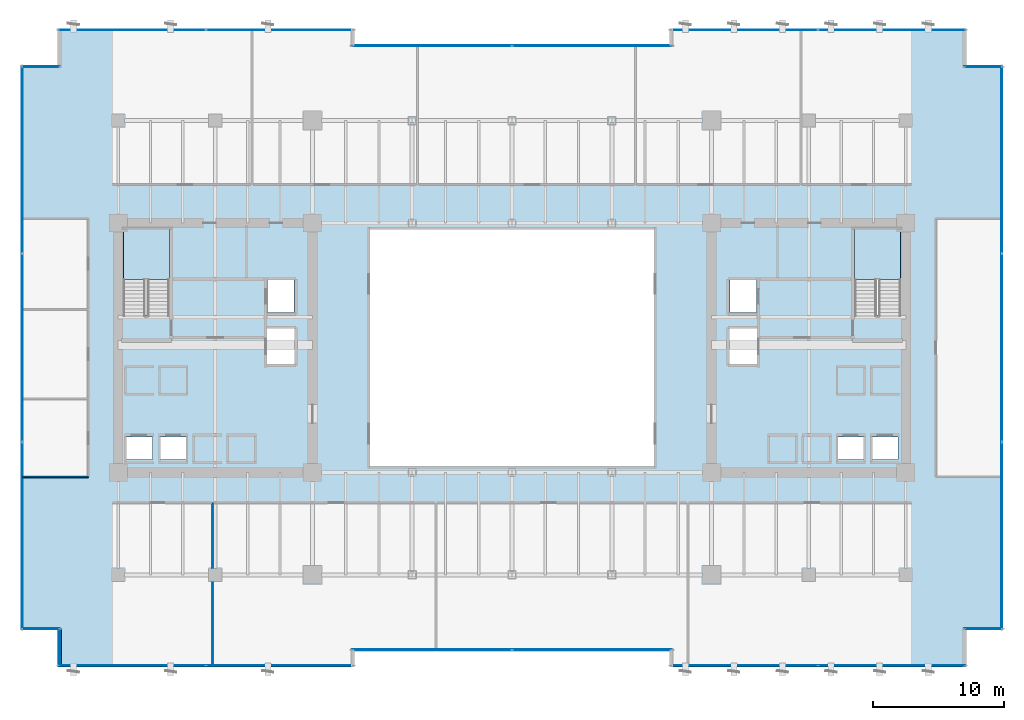
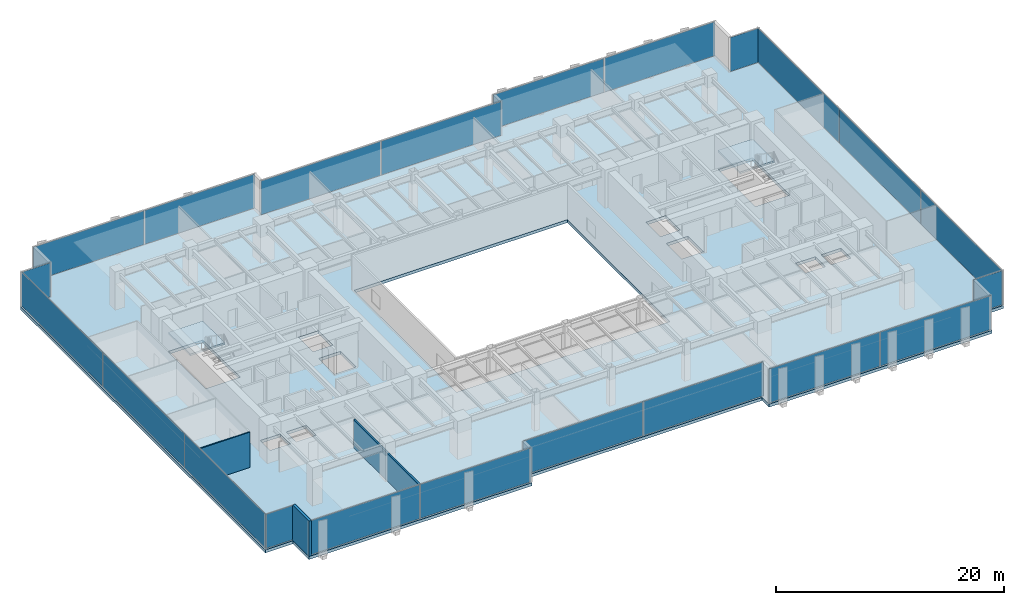
# One storey, part 28 of 37: 22 plates, 3 slabs, 3 walls, 14 elements without a shape of their own.
"""IFC4 building model written with IfcOpenShell, lengths in metres."""

from ifc_helpers import new_model, si_unit, direction, frame, frame_2d, origin, origin_2d, place, context, subcontext, project, spatial, polyline, rectangle, outline, extrude, source, transform, mapped, material, layer, layer_set, type_object, type_shapes, element, aggregate, save


model = new_model("IFC4")

# Units and contexts
model_context = context("Model", 3, precision=1e-05, world=origin(), true_north=direction((0.0, 1.0)))
body_context = subcontext(model_context, "Body", "Model", "MODEL_VIEW")
ifc_project = project(units=[si_unit("LENGTHUNIT", "METRE"), si_unit("AREAUNIT", "SQUARE_METRE"), si_unit("VOLUMEUNIT", "CUBIC_METRE"), si_unit("PLANEANGLEUNIT", "RADIAN"), si_unit("MASSUNIT", "GRAM", prefix="KILO")], contexts=[model_context])

# Site, building, storey
site_placement = place(None, origin())
site = spatial("IfcSite", under=ifc_project, at=site_placement, CompositionType="ELEMENT")
building_placement = place(site_placement, origin())
building = spatial("IfcBuilding", under=site, at=building_placement, Name="Haelvirn Gate Laboratories", CompositionType="ELEMENT")
storey_placement = place(building_placement, frame((0.0, 0.0, 74.39990234375)))
storey = spatial("IfcBuildingStorey", under=building, at=storey_placement, Name="L18", CompositionType="ELEMENT", Elevation=74.39990234375)

# Stair, slab
ifc_material_1 = material(Name="Concrete C40/50", Category="concrete")
stair_type = type_object("IfcStairType", Name="ST-DOG-1650-R22", PredefinedType="HALF_TURN_STAIR", material=ifc_material_1)
stair_1_placement = place(storey_placement, origin())
stair_1 = element("IfcStair", 1, at=stair_1_placement, inside=storey, type_object=stair_type, Name="L18 Escape Stair ST1", PredefinedType="HALF_TURN_STAIR")
ifc_layer_1 = layer(ifc_material_1, 0.199951171875, Name="SL-STAIR-LND")
ifc_layer_set_1 = layer_set([ifc_layer_1], Name="Concrete C40/50")
slab_type_1 = type_object("IfcSlabType", Name="SL-STAIR-LND", PredefinedType="LANDING", material=ifc_layer_set_1)
slab_1_placement = place(storey_placement, frame((0.0, 0.0, 1.85009765625)))
slab_1 = element("IfcSlab", 2, at=slab_1_placement, type_object=slab_type_1, Name="ST1 landing 1", PredefinedType="LANDING", context=body_context, shape_type="SweptSolid", body=[
    extrude(outline(polyline([(11.300048828125, 29.5), (11.300048828125, 33.35009765625), (7.800048828125, 33.35009765625), (7.800048828125, 29.5), (11.300048828125, 29.5)])), origin(), (0.0, 0.0, 1.0), 0.199951171875),
])
aggregate(stair_1, [slab_1])

stair_2_placement = place(storey_placement, origin())
stair_2 = element("IfcStair", 3, at=stair_2_placement, inside=storey, type_object=stair_type, Name="L18 Escape Stair ST2", PredefinedType="HALF_TURN_STAIR")
slab_2_placement = place(storey_placement, frame((0.0, 0.0, 1.85009765625)))
slab_2 = element("IfcSlab", 4, at=slab_2_placement, type_object=slab_type_1, Name="ST2 landing 1", PredefinedType="LANDING", context=body_context, shape_type="SweptSolid", body=[
    extrude(outline(polyline([(67.0, 29.5), (67.0, 33.35009765625), (63.5, 33.35009765625), (63.5, 29.5), (67.0, 29.5)])), origin(), (0.0, 0.0, 1.0), 0.199951171875),
])
aggregate(stair_2, [slab_2])

# Slab
ifc_material_2 = material(Name="Concrete C50/60", Category="concrete")
ifc_layer_2 = layer(ifc_material_2, 0.320068359375, Name="SL-Z1-320")
ifc_layer_set_2 = layer_set([ifc_layer_2], Name="Concrete C50/60")
slab_type_2 = type_object("IfcSlabType", Name="SL-Z1-320", PredefinedType="FLOOR", material=ifc_layer_set_2)
slab_3_placement = place(storey_placement, frame((0.0, 0.0, -0.31982421875)))
element("IfcSlab", 5, at=slab_3_placement, inside=storey, type_object=slab_type_2, Name="L18 Structural Slab MAIN", PredefinedType="FLOOR", context=body_context, shape_type="SweptSolid", body=[
    extrude(outline(polyline([(2.800048828125, 0.0), (25.39990234375, 0.0), (25.39990234375, 1.199951171875), (49.39990234375, 1.199951171875), (49.39990234375, 0.0), (72.0, 0.0), (72.0, 2.800048828125), (74.800048828125, 2.800048828125), (74.800048828125, 45.800048828125), (72.0, 45.800048828125), (72.0, 48.60009765625), (49.39990234375, 48.60009765625), (49.39990234375, 47.39990234375), (25.39990234375, 47.39990234375), (25.39990234375, 48.60009765625), (2.800048828125, 48.60009765625), (2.800048828125, 45.800048828125), (0.0, 45.800048828125), (0.0, 2.800048828125), (2.800048828125, 2.800048828125), (2.800048828125, 0.0)]), holes=[polyline([(26.60009765625, 15.300048828125), (48.199951171875, 15.300048828125), (48.199951171875, 33.300048828125), (26.60009765625, 33.300048828125), (26.60009765625, 15.300048828125)]), polyline([(11.300048828125, 26.780029296875), (11.300048828125, 33.35009765625), (7.800048828125, 33.35009765625), (7.800048828125, 26.780029296875), (11.300048828125, 26.780029296875)]), polyline([(67.0, 26.780029296875), (67.0, 33.35009765625), (63.5, 33.35009765625), (63.5, 26.780029296875), (67.0, 26.780029296875)]), polyline([(7.989990234375, 15.77001953125), (10.010009765625, 15.77001953125), (10.010009765625, 17.510009765625), (7.989990234375, 17.510009765625), (7.989990234375, 15.77001953125)]), polyline([(10.590087890625, 15.77001953125), (12.610107421875, 15.77001953125), (12.610107421875, 17.510009765625), (10.590087890625, 17.510009765625), (10.590087890625, 15.77001953125)]), polyline([(18.7900390625, 26.969970703125), (20.81005859375, 26.969970703125), (20.81005859375, 29.510009765625), (18.7900390625, 29.510009765625), (18.7900390625, 26.969970703125)]), polyline([(18.68994140625, 23.070068359375), (20.909912109375, 23.070068359375), (20.909912109375, 25.81005859375), (18.68994140625, 25.81005859375), (18.68994140625, 23.070068359375)]), polyline([(64.7900390625, 15.77001953125), (66.81005859375, 15.77001953125), (66.81005859375, 17.510009765625), (64.7900390625, 17.510009765625), (64.7900390625, 15.77001953125)]), polyline([(62.18994140625, 15.77001953125), (64.2099609375, 15.77001953125), (64.2099609375, 17.510009765625), (62.18994140625, 17.510009765625), (62.18994140625, 15.77001953125)]), polyline([(53.989990234375, 26.969970703125), (56.010009765625, 26.969970703125), (56.010009765625, 29.510009765625), (53.989990234375, 29.510009765625), (53.989990234375, 26.969970703125)]), polyline([(53.889892578125, 23.070068359375), (56.110107421875, 23.070068359375), (56.110107421875, 25.81005859375), (53.889892578125, 25.81005859375), (53.889892578125, 23.070068359375)])]), origin(), (0.0, 0.0, 1.0), 0.31982421875),
])

# Curtain wall, plates
ifc_material_3 = material(Name="Anodised bronze unitised aluminium & triple low-E glass", Category="aluminium")
ifc_layer_3 = layer(ifc_material_3, 0.18408203125, Name="CW-SYS-2")
ifc_layer_set_3 = layer_set([ifc_layer_3], Name="Anodised bronze unitised aluminium & triple low-E glass")
curtain_wall_type_1 = type_object("IfcCurtainWallType", Name="CW-SYS-2", PredefinedType="NOTDEFINED", material=ifc_layer_set_3)
curtain_wall_1_placement = place(storey_placement, origin())
curtain_wall_1 = element("IfcCurtainWall", 6, at=curtain_wall_1_placement, inside=storey, type_object=curtain_wall_type_1, Name="L18 Unitised Curtain Wall CW-L18-P0-E02-1", PredefinedType="NOTDEFINED")
ifc_material_4 = material(Name="Bronze solar-control triple low-E IGU 44 mm", Category="glass")
ifc_layer_4 = layer(ifc_material_4, 0.0439453125, Name="CWP-IGU-44")
ifc_layer_set_4 = layer_set([ifc_layer_4], Name="Bronze solar-control triple low-E IGU 44 mm")
plate_type_1 = type_object("IfcPlateType", Name="CWP-IGU-44", PredefinedType="CURTAIN_PANEL", material=ifc_layer_set_4)
shared_shape_1 = source(origin(), body_context, "Body", "SweptSolid", [
    extrude(rectangle(XDim=12.12744140625, YDim=0.0439453125, at=origin_2d()), origin(), (0.0, 0.0, 1.0), 3.639892578125),
])
plate_1_placement = place(storey_placement, frame((31.298828125, 1.300048828125, 0.0703125), z_axis=(0.0, 0.0, 1.0), x_axis=(1.0, 0.0, 0.0)))
plate_1 = element("IfcPlate", 7, at=plate_1_placement, type_object=plate_type_1, Name="CW2 panel 1.1", PredefinedType="CURTAIN_PANEL", context=body_context, shape_type="MappedRepresentation", body=[
    mapped(shared_shape_1, transform((0.0, 0.0, 0.0), scale=1.0)),
])
plate_2_placement = place(storey_placement, frame((43.501220703125, 1.300048828125, 0.0703125), z_axis=(0.0, 0.0, 1.0), x_axis=(1.0, 0.0, 0.0)))
plate_2 = element("IfcPlate", 8, at=plate_2_placement, type_object=plate_type_1, Name="CW2 panel 2.1", PredefinedType="CURTAIN_PANEL", context=body_context, shape_type="MappedRepresentation", body=[
    mapped(shared_shape_1, transform((0.0, 0.0, 0.0), scale=1.0)),
])
aggregate(curtain_wall_1, [plate_1, plate_2])

curtain_wall_2_placement = place(storey_placement, origin())
curtain_wall_2 = element("IfcCurtainWall", 9, at=curtain_wall_2_placement, inside=storey, type_object=curtain_wall_type_1, Name="L18 Unitised Curtain Wall CW-L18-P0-E12-1", PredefinedType="NOTDEFINED")
plate_3_placement = place(storey_placement, frame((31.298828125, 47.300048828125, 0.0703125), z_axis=(0.0, 0.0, 1.0), x_axis=(1.0, 0.0, 0.0)))
plate_3 = element("IfcPlate", 10, at=plate_3_placement, type_object=plate_type_1, Name="CW2 panel 1.1", PredefinedType="CURTAIN_PANEL", context=body_context, shape_type="MappedRepresentation", body=[
    mapped(shared_shape_1, transform((0.0, 0.0, 0.0), scale=1.0)),
])
plate_4_placement = place(storey_placement, frame((43.501220703125, 47.300048828125, 0.0703125), z_axis=(0.0, 0.0, 1.0), x_axis=(1.0, 0.0, 0.0)))
plate_4 = element("IfcPlate", 11, at=plate_4_placement, type_object=plate_type_1, Name="CW2 panel 2.1", PredefinedType="CURTAIN_PANEL", context=body_context, shape_type="MappedRepresentation", body=[
    mapped(shared_shape_1, transform((0.0, 0.0, 0.0), scale=1.0)),
])
aggregate(curtain_wall_2, [plate_3, plate_4])

curtain_wall_3_placement = place(storey_placement, origin())
curtain_wall_3 = element("IfcCurtainWall", 12, at=curtain_wall_3_placement, inside=storey, type_object=curtain_wall_type_1, Name="L18 Unitised Curtain Wall CW-L18-P0-E00-1", PredefinedType="NOTDEFINED")
shared_shape_2 = source(origin(), body_context, "Body", "SweptSolid", [
    extrude(rectangle(XDim=11.1875, YDim=0.0439453125, at=origin_2d()), origin(), (0.0, 0.0, 1.0), 3.639892578125),
])
plate_5_placement = place(storey_placement, frame((8.46875, 0.10009765625, 0.0703125), z_axis=(0.0, 0.0, 1.0), x_axis=(1.0, 0.0, 0.0)))
plate_5 = element("IfcPlate", 13, at=plate_5_placement, type_object=plate_type_1, Name="CW2 panel 1.1", PredefinedType="CURTAIN_PANEL", context=body_context, shape_type="MappedRepresentation", body=[
    mapped(shared_shape_2, transform((0.0, 0.0, 0.0), scale=1.0)),
])
plate_6_placement = place(storey_placement, frame((19.731201171875, 0.10009765625, 0.0703125), z_axis=(0.0, 0.0, 1.0), x_axis=(1.0, 0.0, 0.0)))
plate_6 = element("IfcPlate", 14, at=plate_6_placement, type_object=plate_type_1, Name="CW2 panel 2.1", PredefinedType="CURTAIN_PANEL", context=body_context, shape_type="MappedRepresentation", body=[
    mapped(shared_shape_2, transform((0.0, 0.0, 0.0), scale=1.0)),
])
aggregate(curtain_wall_3, [plate_5, plate_6])

curtain_wall_4_placement = place(storey_placement, origin())
curtain_wall_4 = element("IfcCurtainWall", 15, at=curtain_wall_4_placement, inside=storey, type_object=curtain_wall_type_1, Name="L18 Unitised Curtain Wall CW-L18-P0-E04-1", PredefinedType="NOTDEFINED")
plate_7_placement = place(storey_placement, frame((55.06884765625, 0.10009765625, 0.0703125), z_axis=(0.0, 0.0, 1.0), x_axis=(1.0, 0.0, 0.0)))
plate_7 = element("IfcPlate", 16, at=plate_7_placement, type_object=plate_type_1, Name="CW2 panel 1.1", PredefinedType="CURTAIN_PANEL", context=body_context, shape_type="MappedRepresentation", body=[
    mapped(shared_shape_2, transform((0.0, 0.0, 0.0), scale=1.0)),
])
plate_8_placement = place(storey_placement, frame((66.331298828125, 0.10009765625, 0.0703125), z_axis=(0.0, 0.0, 1.0), x_axis=(1.0, 0.0, 0.0)))
plate_8 = element("IfcPlate", 17, at=plate_8_placement, type_object=plate_type_1, Name="CW2 panel 2.1", PredefinedType="CURTAIN_PANEL", context=body_context, shape_type="MappedRepresentation", body=[
    mapped(shared_shape_2, transform((0.0, 0.0, 0.0), scale=1.0)),
])
aggregate(curtain_wall_4, [plate_7, plate_8])

curtain_wall_5_placement = place(storey_placement, origin())
curtain_wall_5 = element("IfcCurtainWall", 18, at=curtain_wall_5_placement, inside=storey, type_object=curtain_wall_type_1, Name="L18 Unitised Curtain Wall CW-L18-P0-E10-1", PredefinedType="NOTDEFINED")
plate_9_placement = place(storey_placement, frame((55.06884765625, 48.5, 0.0703125), z_axis=(0.0, 0.0, 1.0), x_axis=(1.0, 0.0, 0.0)))
plate_9 = element("IfcPlate", 19, at=plate_9_placement, type_object=plate_type_1, Name="CW2 panel 1.1", PredefinedType="CURTAIN_PANEL", context=body_context, shape_type="MappedRepresentation", body=[
    mapped(shared_shape_2, transform((0.0, 0.0, 0.0), scale=1.0)),
])
plate_10_placement = place(storey_placement, frame((66.331298828125, 48.5, 0.0703125), z_axis=(0.0, 0.0, 1.0), x_axis=(1.0, 0.0, 0.0)))
plate_10 = element("IfcPlate", 20, at=plate_10_placement, type_object=plate_type_1, Name="CW2 panel 2.1", PredefinedType="CURTAIN_PANEL", context=body_context, shape_type="MappedRepresentation", body=[
    mapped(shared_shape_2, transform((0.0, 0.0, 0.0), scale=1.0)),
])
aggregate(curtain_wall_5, [plate_9, plate_10])

curtain_wall_6_placement = place(storey_placement, origin())
curtain_wall_6 = element("IfcCurtainWall", 21, at=curtain_wall_6_placement, inside=storey, type_object=curtain_wall_type_1, Name="L18 Unitised Curtain Wall CW-L18-P0-E14-1", PredefinedType="NOTDEFINED")
plate_11_placement = place(storey_placement, frame((8.46875, 48.5, 0.0703125), z_axis=(0.0, 0.0, 1.0), x_axis=(1.0, 0.0, 0.0)))
plate_11 = element("IfcPlate", 22, at=plate_11_placement, type_object=plate_type_1, Name="CW2 panel 1.1", PredefinedType="CURTAIN_PANEL", context=body_context, shape_type="MappedRepresentation", body=[
    mapped(shared_shape_2, transform((0.0, 0.0, 0.0), scale=1.0)),
])
plate_12_placement = place(storey_placement, frame((19.731201171875, 48.5, 0.0703125), z_axis=(0.0, 0.0, 1.0), x_axis=(1.0, 0.0, 0.0)))
plate_12 = element("IfcPlate", 23, at=plate_12_placement, type_object=plate_type_1, Name="CW2 panel 2.1", PredefinedType="CURTAIN_PANEL", context=body_context, shape_type="MappedRepresentation", body=[
    mapped(shared_shape_2, transform((0.0, 0.0, 0.0), scale=1.0)),
])
aggregate(curtain_wall_6, [plate_11, plate_12])

# Curtain wall, plate
ifc_layer_5 = layer(ifc_material_3, 0.181884765625, Name="CW-SYS-5")
ifc_layer_set_5 = layer_set([ifc_layer_5], Name="Anodised bronze unitised aluminium & triple low-E glass")
curtain_wall_type_2 = type_object("IfcCurtainWallType", Name="CW-SYS-5", PredefinedType="NOTDEFINED", material=ifc_layer_set_5)
curtain_wall_7_placement = place(storey_placement, origin())
curtain_wall_7 = element("IfcCurtainWall", 24, at=curtain_wall_7_placement, inside=storey, type_object=curtain_wall_type_2, Name="L18 Unitised Curtain Wall CW-L18-P0-E06-1", PredefinedType="NOTDEFINED")
ifc_material_5 = material(Name="Clear low-iron notched-corner triple IGU 42 mm", Category="glass")
ifc_layer_6 = layer(ifc_material_5, 0.0419921875, Name="CWP-NTC-42")
ifc_layer_set_6 = layer_set([ifc_layer_6], Name="Clear low-iron notched-corner triple IGU 42 mm")
plate_type_2 = type_object("IfcPlateType", Name="CWP-NTC-42", PredefinedType="CURTAIN_PANEL", material=ifc_layer_set_6)
shared_shape_3 = source(origin(), body_context, "Body", "SweptSolid", [
    extrude(rectangle(XDim=2.8798828125, YDim=0.0419921875, at=origin_2d()), origin(), (0.0, 0.0, 1.0), 3.64990234375),
])
type_shapes(plate_type_2, [shared_shape_3])
plate_13_placement = place(storey_placement, frame((73.280029296875, 2.89990234375, 0.065185546875), z_axis=(0.0, 0.0, 1.0), x_axis=(1.0, 0.0, 0.0)))
plate_13 = element("IfcPlate", 25, at=plate_13_placement, type_object=plate_type_2, Name="CW5 panel 1.1", PredefinedType="CURTAIN_PANEL", context=body_context, shape_type="MappedRepresentation", body=[
    mapped(shared_shape_3, transform((0.0, 0.0, 0.0), scale=1.0)),
])
aggregate(curtain_wall_7, [plate_13])

curtain_wall_8_placement = place(storey_placement, origin())
curtain_wall_8 = element("IfcCurtainWall", 26, at=curtain_wall_8_placement, inside=storey, type_object=curtain_wall_type_2, Name="L18 Unitised Curtain Wall CW-L18-P0-E08-1", PredefinedType="NOTDEFINED")
plate_14_placement = place(storey_placement, frame((73.280029296875, 45.699951171875, 0.065185546875), z_axis=(0.0, 0.0, 1.0), x_axis=(1.0, 0.0, 0.0)))
plate_14 = element("IfcPlate", 27, at=plate_14_placement, type_object=plate_type_2, Name="CW5 panel 1.1", PredefinedType="CURTAIN_PANEL", context=body_context, shape_type="MappedRepresentation", body=[
    mapped(shared_shape_3, transform((0.0, 0.0, 0.0), scale=1.0)),
])
aggregate(curtain_wall_8, [plate_14])

curtain_wall_9_placement = place(storey_placement, origin())
curtain_wall_9 = element("IfcCurtainWall", 28, at=curtain_wall_9_placement, inside=storey, type_object=curtain_wall_type_2, Name="L18 Unitised Curtain Wall CW-L18-P0-E16-1", PredefinedType="NOTDEFINED")
plate_15_placement = place(storey_placement, frame((1.52001953125, 45.699951171875, 0.065185546875), z_axis=(0.0, 0.0, 1.0), x_axis=(1.0, 0.0, 0.0)))
plate_15 = element("IfcPlate", 29, at=plate_15_placement, type_object=plate_type_2, Name="CW5 panel 1.1", PredefinedType="CURTAIN_PANEL", context=body_context, shape_type="MappedRepresentation", body=[
    mapped(shared_shape_3, transform((0.0, 0.0, 0.0), scale=1.0)),
])
aggregate(curtain_wall_9, [plate_15])

curtain_wall_10_placement = place(storey_placement, origin())
curtain_wall_10 = element("IfcCurtainWall", 30, at=curtain_wall_10_placement, inside=storey, type_object=curtain_wall_type_2, Name="L18 Unitised Curtain Wall CW-L18-P0-E18-1", PredefinedType="NOTDEFINED")
plate_16_placement = place(storey_placement, frame((1.52001953125, 2.89990234375, 0.065185546875), z_axis=(0.0, 0.0, 1.0), x_axis=(1.0, 0.0, 0.0)))
plate_16 = element("IfcPlate", 31, at=plate_16_placement, type_object=plate_type_2, Name="CW5 panel 1.1", PredefinedType="CURTAIN_PANEL", context=body_context, shape_type="MappedRepresentation", body=[
    mapped(shared_shape_3, transform((0.0, 0.0, 0.0), scale=1.0)),
])
aggregate(curtain_wall_10, [plate_16])

# Curtain wall, plates
curtain_wall_11_placement = place(storey_placement, origin())
curtain_wall_11 = element("IfcCurtainWall", 32, at=curtain_wall_11_placement, inside=storey, type_object=curtain_wall_type_1, Name="L18 Unitised Curtain Wall CW-L18-P0-E07", PredefinedType="NOTDEFINED")
shared_shape_4 = source(origin(), body_context, "Body", "SweptSolid", [
    extrude(rectangle(XDim=14.220947265625, YDim=0.0439453125, at=origin_2d()), origin(), (0.0, 0.0, 1.0), 3.639892578125),
])
plate_17_placement = place(storey_placement, frame((74.699951171875, 9.9853515625, 0.0703125), z_axis=(0.0, 0.0, 1.0), x_axis=(0.0, 1.0, 0.0)))
plate_17 = element("IfcPlate", 33, at=plate_17_placement, type_object=plate_type_1, Name="CW2 panel 1.1", PredefinedType="CURTAIN_PANEL", context=body_context, shape_type="MappedRepresentation", body=[
    mapped(shared_shape_4, transform((0.0, 0.0, 0.0), scale=1.0)),
])
plate_18_placement = place(storey_placement, frame((74.699951171875, 38.614501953125, 0.0703125), z_axis=(0.0, 0.0, 1.0), x_axis=(0.0, 1.0, 0.0)))
plate_18 = element("IfcPlate", 34, at=plate_18_placement, type_object=plate_type_1, Name="CW2 panel 3.1", PredefinedType="CURTAIN_PANEL", context=body_context, shape_type="MappedRepresentation", body=[
    mapped(shared_shape_4, transform((0.0, 0.0, 0.0), scale=1.0)),
])

curtain_wall_12_placement = place(storey_placement, origin())
curtain_wall_12 = element("IfcCurtainWall", 35, at=curtain_wall_12_placement, inside=storey, type_object=curtain_wall_type_1, Name="L18 Unitised Curtain Wall CW-L18-P0-E17", PredefinedType="NOTDEFINED")
plate_19_placement = place(storey_placement, frame((0.10009765625, 38.614501953125, 0.0703125), z_axis=(0.0, 0.0, 1.0), x_axis=(0.0, -1.0, 0.0)))
plate_19 = element("IfcPlate", 36, at=plate_19_placement, type_object=plate_type_1, Name="CW2 panel 1.1", PredefinedType="CURTAIN_PANEL", context=body_context, shape_type="MappedRepresentation", body=[
    mapped(shared_shape_4, transform((0.0, 0.0, 0.0), scale=1.0)),
])
plate_20_placement = place(storey_placement, frame((0.10009765625, 9.9853515625, 0.0703125), z_axis=(0.0, 0.0, 1.0), x_axis=(0.0, -1.0, 0.0)))
plate_20 = element("IfcPlate", 37, at=plate_20_placement, type_object=plate_type_1, Name="CW2 panel 3.1", PredefinedType="CURTAIN_PANEL", context=body_context, shape_type="MappedRepresentation", body=[
    mapped(shared_shape_4, transform((0.0, 0.0, 0.0), scale=1.0)),
])

# Plate
shared_shape_5 = source(origin(), body_context, "Body", "SweptSolid", [
    extrude(rectangle(XDim=14.25830078125, YDim=0.0439453125, at=origin_2d()), origin(), (0.0, 0.0, 1.0), 3.639892578125),
])
type_shapes(plate_type_1, [shared_shape_1, shared_shape_2, shared_shape_4, shared_shape_5])
plate_21_placement = place(storey_placement, frame((74.699951171875, 24.300048828125, 0.0703125), z_axis=(0.0, 0.0, 1.0), x_axis=(0.0, 1.0, 0.0)))
plate_21 = element("IfcPlate", 38, at=plate_21_placement, type_object=plate_type_1, Name="CW2 panel 2.1", PredefinedType="CURTAIN_PANEL", context=body_context, shape_type="MappedRepresentation", body=[
    mapped(shared_shape_5, transform((0.0, 0.0, 0.0), scale=1.0)),
])

aggregate(curtain_wall_11, [plate_17, plate_21, plate_18])

plate_22_placement = place(storey_placement, frame((0.10009765625, 24.300048828125, 0.0703125), z_axis=(0.0, 0.0, 1.0), x_axis=(0.0, -1.0, 0.0)))
plate_22 = element("IfcPlate", 39, at=plate_22_placement, type_object=plate_type_1, Name="CW2 panel 2.1", PredefinedType="CURTAIN_PANEL", context=body_context, shape_type="MappedRepresentation", body=[
    mapped(shared_shape_5, transform((0.0, 0.0, 0.0), scale=1.0)),
])

aggregate(curtain_wall_12, [plate_19, plate_22, plate_20])

# Walls
ifc_material_6 = material(Name="Thermally-broken bronze aluminium rainscreen & mineral wool", Category="aluminium")
ifc_layer_7 = layer(ifc_material_6, 0.280029296875, Name="EW-TERR-280")
ifc_layer_set_7 = layer_set([ifc_layer_7], Name="Thermally-broken bronze aluminium rainscreen & mineral wool")
wall_type_1 = type_object("IfcWallType", Name="EW-TERR-280", PredefinedType="STANDARD", material=ifc_layer_set_7)
wall_1_placement = place(storey_placement, frame((2.93994140625, 2.887939453125, 0.0), z_axis=(0.0, 0.0, 1.0), x_axis=(0.0, -1.0, 0.0)))
element("IfcWall", 40, at=wall_1_placement, inside=storey, type_object=wall_type_1, Name="L18 Atrium Recess Bronze Return Wall 19", PredefinedType="STANDARD", context=body_context, shape_type="SweptSolid", body=[
    extrude(rectangle(XDim=2.887939453125, YDim=0.280029296875, at=frame_2d((1.44384765625, 0.0))), origin(), (0.0, 0.0, 1.0), 3.780029296875),
])
ifc_material_7 = material(Name="Double-layer acoustic gypsum laboratory partition", Category="gypsum")
ifc_layer_8 = layer(ifc_material_7, 0.159912109375, Name="IW-ACOUST-160")
ifc_layer_set_8 = layer_set([ifc_layer_8], Name="Double-layer acoustic gypsum laboratory partition")
wall_type_2 = type_object("IfcWallType", Name="IW-ACOUST-160", PredefinedType="PARTITIONING", material=ifc_layer_set_8)
wall_2_placement = place(storey_placement, frame((14.60009765625, 0.110107421875, 0.0), z_axis=(0.0, 0.0, 1.0), x_axis=(0.0, 1.0, 0.0)))
element("IfcWall", 41, at=wall_2_placement, inside=storey, type_object=wall_type_2, Name="L18 Interior Wall IW-L18-SDIV-01", PredefinedType="PARTITIONING", context=body_context, shape_type="SweptSolid", body=[
    extrude(rectangle(XDim=12.3798828125, YDim=0.159912109375, at=frame_2d((6.18994140625, 0.0))), origin(), (0.0, 0.0, 1.0), 3.01513671875),
])
ifc_material_8 = material(Name="Lightweight acoustic gypsum board partition", Category="gypsum")
ifc_layer_9 = layer(ifc_material_8, 0.1201171875, Name="IW-PART-120")
ifc_layer_set_9 = layer_set([ifc_layer_9], Name="Lightweight acoustic gypsum board partition")
wall_type_3 = type_object("IfcWallType", Name="IW-PART-120", PredefinedType="PARTITIONING", material=ifc_layer_set_9)
wall_3_placement = place(storey_placement, frame((0.110107421875, 14.465087890625, 0.0), z_axis=(0.0, 0.0, 1.0), x_axis=(1.0, 0.0, 0.0)))
element("IfcWall", 42, at=wall_3_placement, inside=storey, type_object=wall_type_3, Name="L18 Interior Wall IW-L18-WCAP-S", PredefinedType="PARTITIONING", context=body_context, shape_type="SweptSolid", body=[
    extrude(rectangle(XDim=5.019775390625, YDim=0.1201171875, at=frame_2d((2.509765625, 0.0))), origin(), (0.0, 0.0, 1.0), 3.780029296875),
])

save(model, "model.ifc")
